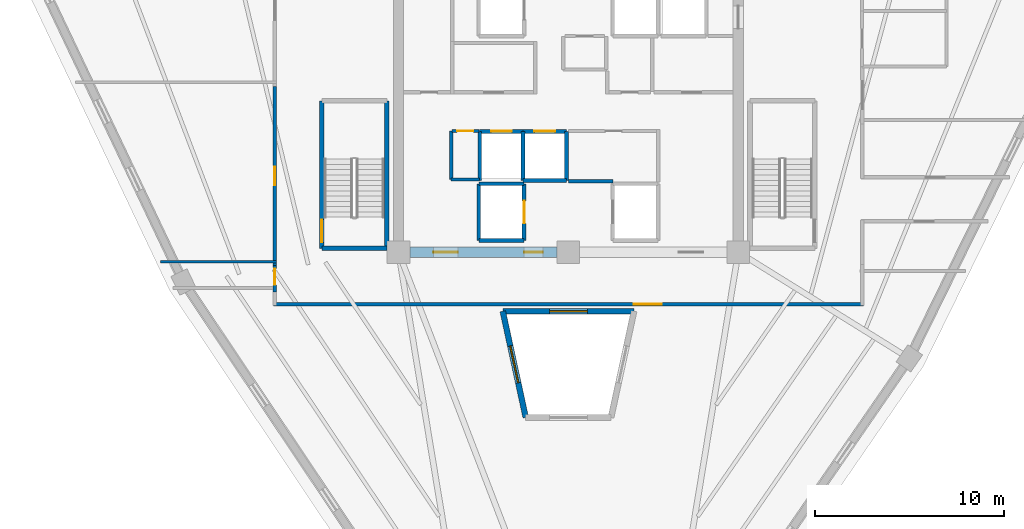
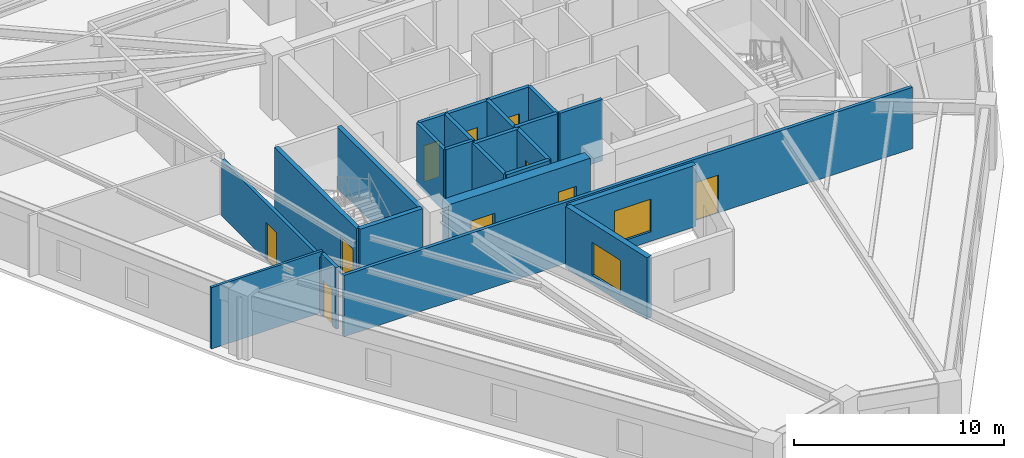
# One storey, part 3 of 8: 24 walls, 10 doors, 2 windows, 12 openings.
"""IFC4 building model written with IfcOpenShell, lengths in metres."""

from ifc_helpers import new_model, si_unit, direction, frame, frame_2d, origin, place, context, subcontext, project, spatial, rectangle, extrude, source, transform, mapped, material, layer, layer_set, type_object, element, fill, save


model = new_model("IFC4")

# Units and contexts
model_context = context("Model", 3, precision=1e-05, world=origin(), true_north=direction((0.0, 1.0)))
body_context = subcontext(model_context, "Body", "Model", "MODEL_VIEW")
ifc_project = project(units=[si_unit("LENGTHUNIT", "METRE"), si_unit("AREAUNIT", "SQUARE_METRE"), si_unit("VOLUMEUNIT", "CUBIC_METRE"), si_unit("PLANEANGLEUNIT", "RADIAN"), si_unit("MASSUNIT", "GRAM", prefix="KILO")], contexts=[model_context])

# Site, building, storey
site_placement = place(None, origin())
site = spatial("IfcSite", under=ifc_project, at=site_placement, CompositionType="ELEMENT")
building_placement = place(site_placement, origin())
building = spatial("IfcBuilding", under=site, at=building_placement, Name="Liaohun Quay Tower", CompositionType="ELEMENT")
storey_placement = place(building_placement, frame((0.0, 0.0, 297.75)))
storey = spatial("IfcBuildingStorey", under=building, at=storey_placement, Name="L77", CompositionType="ELEMENT", Elevation=297.75)

# Wall, opening, window
ifc_material_1 = material(Name="Concrete C50", Category="concrete")
ifc_layer_1 = layer(ifc_material_1, 0.300048828125, Name="Concrete C50", Category="concrete")
ifc_layer_set_1 = layer_set([ifc_layer_1], Name="Concrete C50")
wall_type_1 = type_object("IfcWallType", Name="WAL-ATR-300", PredefinedType="SOLIDWALL", material=ifc_layer_set_1)
wall_1_placement = place(storey_placement, frame((57.739013671875, 37.739990234375, 0.0), z_axis=(0.0, 0.0, 1.0), x_axis=(-0.211447694839, 0.977389314627, 0.0)))
wall_1 = element("IfcWall", 1, at=wall_1_placement, inside=storey, type_object=wall_type_1, Name="L77 Atrium Fire Compartment Wall 1", PredefinedType="SOLIDWALL", context=body_context, shape_type="SweptSolid", body=[
    extrude(rectangle(XDim=5.76025390625, YDim=0.300048828125, at=frame_2d((2.880126953125, 0.0))), origin(), (0.0, 0.0, 1.0), 3.570068359375),
])
shared_shape_1 = source(origin(), body_context, "Body", "SweptSolid", [
    extrude(rectangle(XDim=2.0, YDim=1.89990234375, at=frame_2d((1.0, 0.949951171875))), frame((0.0, 0.159912109375, 0.0), z_axis=(0.0, -1.0, 0.0), x_axis=(1.0, 0.0, 0.0)), (0.0, 0.0, 1.0), 0.320068359375),
])
opening_1_placement = place(wall_1_placement, frame((1.8798828125, 0.0, 0.550048828125)))
opening_1 = element("IfcOpeningElement", 2, at=opening_1_placement, cuts=wall_1, Name="Opening W07", PredefinedType="OPENING", context=body_context, shape_type="MappedRepresentation", body=[
    mapped(shared_shape_1, transform((0.0, 0.0, 0.0), x_axis=(1.0, 0.0, 0.0), y_axis=(0.0, 1.0, 0.0), z_axis=(0.0, 0.0, 1.0), scale=1.0)),
])
ifc_material_2 = material(Name="Class A 180-min fire-resistant insulated glazing", Category="glass")
window_type = type_object("IfcWindowType", Name="WIN-ATR-FIR", PartitioningType="DOUBLE_PANEL_VERTICAL", PredefinedType="WINDOW", material=ifc_material_2)
shared_shape_2 = source(origin(), body_context, "Body", "SweptSolid", [
    extrude(rectangle(XDim=2.0, YDim=1.89990234375, at=frame_2d((1.0, 0.949951171875))), frame((0.0, 0.030029296875, 0.0), z_axis=(0.0, -1.0, 0.0), x_axis=(1.0, 0.0, 0.0)), (0.0, 0.0, 1.0), 0.06005859375),
])
window_1_placement = place(opening_1_placement, origin())
window_1 = element("IfcWindow", 3, at=window_1_placement, inside=storey, type_object=window_type, Name="L77 Atrium Fire-Resistant Glazing W07-1", OverallHeight=1.89990234375, OverallWidth=2.0, PartitioningType="DOUBLE_PANEL_VERTICAL", PredefinedType="WINDOW", context=body_context, shape_type="MappedRepresentation", body=[
    mapped(shared_shape_2, transform((0.0, 0.0, 0.0), x_axis=(1.0, 0.0, 0.0), y_axis=(0.0, 1.0, 0.0), z_axis=(0.0, 0.0, 1.0), scale=1.0)),
])
fill(opening_1, window_1)

wall_2_placement = place(storey_placement, frame((56.52099609375, 43.3701171875, 0.0), z_axis=(0.0, 0.0, 1.0), x_axis=(1.0, 0.0, 0.0)))
wall_2 = element("IfcWall", 4, at=wall_2_placement, inside=storey, type_object=wall_type_1, Name="L77 Atrium Fire Compartment Wall 2", PredefinedType="SOLIDWALL", context=body_context, shape_type="SweptSolid", body=[
    extrude(rectangle(XDim=6.9580078125, YDim=0.300048828125, at=frame_2d((3.47900390625, 0.0))), origin(), (0.0, 0.0, 1.0), 3.570068359375),
])
opening_2_placement = place(wall_2_placement, frame((2.47900390625, 0.0, 0.550048828125)))
opening_2 = element("IfcOpeningElement", 5, at=opening_2_placement, cuts=wall_2, Name="Opening W07", PredefinedType="OPENING", context=body_context, shape_type="MappedRepresentation", body=[
    mapped(shared_shape_1, transform((0.0, 0.0, 0.0), x_axis=(1.0, 0.0, 0.0), y_axis=(0.0, 1.0, 0.0), z_axis=(0.0, 0.0, 1.0), scale=1.0)),
])
window_2_placement = place(opening_2_placement, origin())
window_2 = element("IfcWindow", 6, at=window_2_placement, inside=storey, type_object=window_type, Name="L77 Atrium Fire-Resistant Glazing W07-2", OverallHeight=1.89990234375, OverallWidth=2.0, PartitioningType="DOUBLE_PANEL_VERTICAL", PredefinedType="WINDOW", context=body_context, shape_type="MappedRepresentation", body=[
    mapped(shared_shape_2, transform((0.0, 0.0, 0.0), x_axis=(1.0, 0.0, 0.0), y_axis=(0.0, 1.0, 0.0), z_axis=(0.0, 0.0, 1.0), scale=1.0)),
])
fill(opening_2, window_2)

# Wall, openings, doors
ifc_layer_2 = layer(ifc_material_1, 0.550048828125, Name="Concrete C50", Category="concrete")
ifc_layer_set_2 = layer_set([ifc_layer_2], Name="Concrete C50")
wall_type_2 = type_object("IfcWallType", Name="WAL-COR-Z4", PredefinedType="SHEAR", material=ifc_layer_set_2)
wall_3_placement = place(storey_placement, frame((59.39990234375, 46.5, 0.0), z_axis=(0.0, 0.0, 1.0), x_axis=(-1.0, 0.0, 0.0)))
wall_3 = element("IfcWall", 7, at=wall_3_placement, inside=storey, type_object=wall_type_2, Name="L77 Central Core Shear Wall S-W", PredefinedType="SHEAR", context=body_context, shape_type="SweptSolid", body=[
    extrude(rectangle(XDim=7.7998046875, YDim=0.550048828125, at=frame_2d((3.89990234375, 0.0))), origin(), (0.0, 0.0, 1.0), 3.570068359375),
])
shared_shape_3 = source(origin(), body_context, "Body", "SweptSolid", [
    extrude(rectangle(XDim=1.300048828125, YDim=2.199951171875, at=frame_2d((0.64990234375, 1.10009765625))), frame((0.0, 0.284912109375, 0.0), z_axis=(0.0, -1.0, 0.0), x_axis=(1.0, 0.0, 0.0)), (0.0, 0.0, 1.0), 0.570068359375),
])
opening_3_placement = place(wall_3_placement, frame((5.25, 0.0, 0.0)))
opening_3 = element("IfcOpeningElement", 8, at=opening_3_placement, cuts=wall_3, Name="Opening FD1", PredefinedType="OPENING", context=body_context, shape_type="MappedRepresentation", body=[
    mapped(shared_shape_3, transform((0.0, 0.0, 0.0), x_axis=(1.0, 0.0, 0.0), y_axis=(0.0, 1.0, 0.0), z_axis=(0.0, 0.0, 1.0), scale=1.0)),
])
shared_shape_4 = source(origin(), body_context, "Body", "SweptSolid", [
    extrude(rectangle(XDim=1.0, YDim=2.199951171875, at=frame_2d((0.5, 1.10009765625))), frame((0.0, 0.284912109375, 0.0), z_axis=(0.0, -1.0, 0.0), x_axis=(1.0, 0.0, 0.0)), (0.0, 0.0, 1.0), 0.570068359375),
])
opening_4_placement = place(wall_3_placement, frame((0.75, 0.0, 0.0)))
opening_4 = element("IfcOpeningElement", 9, at=opening_4_placement, cuts=wall_3, Name="Opening FD2", PredefinedType="OPENING", context=body_context, shape_type="MappedRepresentation", body=[
    mapped(shared_shape_4, transform((0.0, 0.0, 0.0), x_axis=(1.0, 0.0, 0.0), y_axis=(0.0, 1.0, 0.0), z_axis=(0.0, 0.0, 1.0), scale=1.0)),
])
ifc_material_3 = material(Name="Galvanised steel smokeproof fire door", Category="steel")
door_type_1 = type_object("IfcDoorType", Name="DOR-FFL-1300", OperationType="NOTDEFINED", PredefinedType="DOOR", material=ifc_material_3)
shared_shape_5 = source(origin(), body_context, "Body", "SweptSolid", [
    extrude(rectangle(XDim=1.300048828125, YDim=2.199951171875, at=frame_2d((0.64990234375, 1.10009765625))), frame((0.0, 0.02490234375, 0.0), z_axis=(0.0, -1.0, 0.0), x_axis=(1.0, 0.0, 0.0)), (0.0, 0.0, 1.0), 0.050048828125),
])
door_1_placement = place(opening_3_placement, origin())
door_1 = element("IfcDoor", 10, at=door_1_placement, inside=storey, type_object=door_type_1, Name="L77 West Core Lift Lobby Smokeproof Door", OperationType="SINGLE_SWING_RIGHT", OverallHeight=2.199951171875, OverallWidth=1.300048828125, PredefinedType="DOOR", context=body_context, shape_type="MappedRepresentation", body=[
    mapped(shared_shape_5, transform((0.0, 0.0, 0.0), x_axis=(1.0, 0.0, 0.0), y_axis=(0.0, 1.0, 0.0), z_axis=(0.0, 0.0, 1.0), scale=1.0)),
])
fill(opening_3, door_1)
ifc_material_4 = material(Name="Galvanised steel smokeproof lobby fire door", Category="steel")
door_type_2 = type_object("IfcDoorType", Name="DOR-FFL-1000", OperationType="NOTDEFINED", PredefinedType="DOOR", material=ifc_material_4)
shared_shape_6 = source(origin(), body_context, "Body", "SweptSolid", [
    extrude(rectangle(XDim=1.0, YDim=2.199951171875, at=frame_2d((0.5, 1.10009765625))), frame((0.0, 0.02490234375, 0.0), z_axis=(0.0, -1.0, 0.0), x_axis=(1.0, 0.0, 0.0)), (0.0, 0.0, 1.0), 0.050048828125),
])
door_2_placement = place(opening_4_placement, origin())
door_2 = element("IfcDoor", 11, at=door_2_placement, inside=storey, type_object=door_type_2, Name="L77 South Firefighting Lobby Smokeproof Door", OperationType="SINGLE_SWING_LEFT", OverallHeight=2.199951171875, OverallWidth=1.0, PredefinedType="DOOR", context=body_context, shape_type="MappedRepresentation", body=[
    mapped(shared_shape_6, transform((0.0, 0.0, 0.0), x_axis=(1.0, 0.0, 0.0), y_axis=(0.0, 1.0, 0.0), z_axis=(0.0, 0.0, 1.0), scale=1.0)),
])
fill(opening_4, door_2)

# Wall, opening, door
ifc_material_5 = material(Name="Autoclaved aerated concrete blockwork", Category="masonry")
ifc_layer_3 = layer(ifc_material_5, 0.179931640625, Name="Autoclaved aerated concrete blockwork", Category="masonry")
ifc_layer_set_3 = layer_set([ifc_layer_3], Name="Autoclaved aerated concrete blockwork")
wall_type_3 = type_object("IfcWallType", Name="WAL-PRT-COR", PredefinedType="PARTITIONING", material=ifc_layer_set_3)
wall_4_placement = place(storey_placement, frame((53.820068359375, 52.919921875, 0.0), z_axis=(0.0, 0.0, 1.0), x_axis=(1.0, 0.0, 0.0)))
wall_4 = element("IfcWall", 12, at=wall_4_placement, inside=storey, type_object=wall_type_3, Name="L77 Interior Partition Wall 007", PredefinedType="PARTITIONING", context=body_context, shape_type="SweptSolid", body=[
    extrude(rectangle(XDim=1.429931640625, YDim=0.179931640625, at=frame_2d((0.71484375, 0.0))), origin(), (0.0, 0.0, 1.0), 3.570068359375),
])
shared_shape_7 = source(origin(), body_context, "Body", "SweptSolid", [
    extrude(rectangle(XDim=0.85009765625, YDim=2.10009765625, at=frame_2d((0.425048828125, 1.050048828125))), frame((0.0, 0.099853515625, 0.0), z_axis=(0.0, -1.0, 0.0), x_axis=(1.0, 0.0, 0.0)), (0.0, 0.0, 1.0), 0.199951171875),
])
opening_5_placement = place(wall_4_placement, frame((0.2900390625, 0.0, 0.0)))
opening_5 = element("IfcOpeningElement", 13, at=opening_5_placement, cuts=wall_4, Name="Opening AD1", PredefinedType="OPENING", context=body_context, shape_type="MappedRepresentation", body=[
    mapped(shared_shape_7, transform((0.0, 0.0, 0.0), x_axis=(1.0, 0.0, 0.0), y_axis=(0.0, 1.0, 0.0), z_axis=(0.0, 0.0, 1.0), scale=1.0)),
])
ifc_material_6 = material(Name="Steel riser inspection fire door", Category="steel")
door_type_3 = type_object("IfcDoorType", Name="DOR-SHF-850", OperationType="NOTDEFINED", PredefinedType="DOOR", material=ifc_material_6)
shared_shape_8 = source(origin(), body_context, "Body", "SweptSolid", [
    extrude(rectangle(XDim=0.85009765625, YDim=2.10009765625, at=frame_2d((0.425048828125, 1.050048828125))), frame((0.0, 0.02490234375, 0.0), z_axis=(0.0, -1.0, 0.0), x_axis=(1.0, 0.0, 0.0)), (0.0, 0.0, 1.0), 0.050048828125),
])
door_3_placement = place(opening_5_placement, origin())
door_3 = element("IfcDoor", 14, at=door_3_placement, inside=storey, type_object=door_type_3, Name="L77 Mechanical Smoke Duct Room Door", OperationType="SINGLE_SWING_LEFT", OverallHeight=2.10009765625, OverallWidth=0.85009765625, PredefinedType="DOOR", context=body_context, shape_type="MappedRepresentation", body=[
    mapped(shared_shape_8, transform((0.0, 0.0, 0.0), x_axis=(1.0, 0.0, 0.0), y_axis=(0.0, 1.0, 0.0), z_axis=(0.0, 0.0, 1.0), scale=1.0)),
])
fill(opening_5, door_3)

wall_5_placement = place(storey_placement, frame((44.43994140625, 45.784912109375, 0.0), z_axis=(0.0, 0.0, 1.0), x_axis=(0.0, 1.0, 0.0)))
wall_5 = element("IfcWall", 15, at=wall_5_placement, inside=storey, type_object=wall_type_3, Name="L77 Interior Partition Wall 022", PredefinedType="PARTITIONING", context=body_context, shape_type="SweptSolid", body=[
    extrude(rectangle(XDim=9.5, YDim=0.179931640625, at=frame_2d((4.75, 0.0))), origin(), (0.0, 0.0, 1.0), 3.260986328125),
])
shared_shape_9 = source(origin(), body_context, "Body", "SweptSolid", [
    extrude(rectangle(XDim=1.0, YDim=2.199951171875, at=frame_2d((0.5, 1.10009765625))), frame((0.0, 0.099853515625, 0.0), z_axis=(0.0, -1.0, 0.0), x_axis=(1.0, 0.0, 0.0)), (0.0, 0.0, 1.0), 0.199951171875),
])
opening_6_placement = place(wall_5_placement, frame((4.25, 0.0, 0.0)))
opening_6 = element("IfcOpeningElement", 16, at=opening_6_placement, cuts=wall_5, Name="Opening OD1", PredefinedType="OPENING", context=body_context, shape_type="MappedRepresentation", body=[
    mapped(shared_shape_9, transform((0.0, 0.0, 0.0), x_axis=(1.0, 0.0, 0.0), y_axis=(0.0, 1.0, 0.0), z_axis=(0.0, 0.0, 1.0), scale=1.0)),
])
ifc_material_7 = material(Name="Solid-core oak veneer timber leaf in steel frame", Category="steel")
door_type_4 = type_object("IfcDoorType", Name="DOR-OFF-1000", OperationType="NOTDEFINED", PredefinedType="DOOR", material=ifc_material_7)
door_4_placement = place(opening_6_placement, origin())
door_4 = element("IfcDoor", 17, at=door_4_placement, inside=storey, type_object=door_type_4, Name="L77 Client Collaboration Lounge 08 Door", OperationType="SINGLE_SWING_RIGHT", OverallHeight=2.199951171875, OverallWidth=1.0, PredefinedType="DOOR", context=body_context, shape_type="MappedRepresentation", body=[
    mapped(shared_shape_6, transform((0.0, 0.0, 0.0), x_axis=(1.0, 0.0, 0.0), y_axis=(0.0, 1.0, 0.0), z_axis=(0.0, 0.0, 1.0), scale=1.0)),
])
fill(opening_6, door_4)

wall_6_placement = place(storey_placement, frame((44.43994140625, 44.385009765625, 0.0), z_axis=(0.0, 0.0, 1.0), x_axis=(0.0, 1.0, 0.0)))
wall_6 = element("IfcWall", 18, at=wall_6_placement, inside=storey, type_object=wall_type_3, Name="L77 Interior Partition Wall 023", PredefinedType="PARTITIONING", context=body_context, shape_type="SweptSolid", body=[
    extrude(rectangle(XDim=1.39990234375, YDim=0.179931640625, at=frame_2d((0.699951171875, 0.0))), origin(), (0.0, 0.0, 1.0), 3.570068359375),
])
opening_7_placement = place(wall_6_placement, frame((0.386962890625, 0.0, 0.0)))
opening_7 = element("IfcOpeningElement", 19, at=opening_7_placement, cuts=wall_6, Name="Opening AD1", PredefinedType="OPENING", context=body_context, shape_type="MappedRepresentation", body=[
    mapped(shared_shape_7, transform((0.0, 0.0, 0.0), x_axis=(1.0, 0.0, 0.0), y_axis=(0.0, 1.0, 0.0), z_axis=(0.0, 0.0, 1.0), scale=1.0)),
])
door_5_placement = place(opening_7_placement, origin())
door_5 = element("IfcDoor", 20, at=door_5_placement, inside=storey, type_object=door_type_3, Name="L77 Records Archive Store 09 Door", OperationType="SINGLE_SWING_LEFT", OverallHeight=2.10009765625, OverallWidth=0.85009765625, PredefinedType="DOOR", context=body_context, shape_type="MappedRepresentation", body=[
    mapped(shared_shape_8, transform((0.0, 0.0, 0.0), x_axis=(1.0, 0.0, 0.0), y_axis=(0.0, 1.0, 0.0), z_axis=(0.0, 0.0, 1.0), scale=1.0)),
])
fill(opening_7, door_5)

wall_7_placement = place(storey_placement, frame((75.6298828125, 43.739990234375, 0.0), z_axis=(0.0, 0.0, 1.0), x_axis=(-1.0, 0.0, 0.0)))
wall_7 = element("IfcWall", 21, at=wall_7_placement, inside=storey, type_object=wall_type_3, Name="L77 Interior Partition Wall 024", PredefinedType="PARTITIONING", context=body_context, shape_type="SweptSolid", body=[
    extrude(rectangle(XDim=31.259765625, YDim=0.179931640625, at=frame_2d((15.6298828125, 0.0))), origin(), (0.0, 0.0, 1.0), 3.570068359375),
])
shared_shape_10 = source(origin(), body_context, "Body", "SweptSolid", [
    extrude(rectangle(XDim=1.5, YDim=2.199951171875, at=frame_2d((0.75, 1.10009765625))), frame((0.0, 0.099853515625, 0.0), z_axis=(0.0, -1.0, 0.0), x_axis=(1.0, 0.0, 0.0)), (0.0, 0.0, 1.0), 0.199951171875),
])
opening_8_placement = place(wall_7_placement, frame((10.679931640625, 0.0, 0.0)))
opening_8 = element("IfcOpeningElement", 22, at=opening_8_placement, cuts=wall_7, Name="Opening OD2", PredefinedType="OPENING", context=body_context, shape_type="MappedRepresentation", body=[
    mapped(shared_shape_10, transform((0.0, 0.0, 0.0), x_axis=(1.0, 0.0, 0.0), y_axis=(0.0, 1.0, 0.0), z_axis=(0.0, 0.0, 1.0), scale=1.0)),
])
ifc_material_8 = material(Name="Acoustic oak veneer double door")
door_type_5 = type_object("IfcDoorType", Name="DOR-OFF-1500", OperationType="DOUBLE_DOOR_SINGLE_SWING", PredefinedType="DOOR", material=ifc_material_8)
shared_shape_11 = source(origin(), body_context, "Body", "SweptSolid", [
    extrude(rectangle(XDim=1.5, YDim=2.199951171875, at=frame_2d((0.75, 1.10009765625))), frame((0.0, 0.02490234375, 0.0), z_axis=(0.0, -1.0, 0.0), x_axis=(1.0, 0.0, 0.0)), (0.0, 0.0, 1.0), 0.050048828125),
])
door_6_placement = place(opening_8_placement, origin())
door_6 = element("IfcDoor", 23, at=door_6_placement, inside=storey, type_object=door_type_5, Name="L77 Open-Plan Office Workplace 10 Door", OperationType="DOUBLE_DOOR_SINGLE_SWING", OverallHeight=2.199951171875, OverallWidth=1.5, PredefinedType="DOOR", context=body_context, shape_type="MappedRepresentation", body=[
    mapped(shared_shape_11, transform((0.0, 0.0, 0.0), x_axis=(1.0, 0.0, 0.0), y_axis=(0.0, 1.0, 0.0), z_axis=(0.0, 0.0, 1.0), scale=1.0)),
])
fill(opening_8, door_6)

# Walls
wall_8_placement = place(storey_placement, frame((53.7900390625, 50.35009765625, 0.0), z_axis=(0.0, 0.0, 1.0), x_axis=(0.0, 1.0, 0.0)))
element("IfcWall", 24, at=wall_8_placement, inside=storey, type_object=wall_type_3, Name="L77 Interior Partition Wall 031", PredefinedType="PARTITIONING", context=body_context, shape_type="SweptSolid", body=[
    extrude(rectangle(XDim=2.56982421875, YDim=0.179931640625, at=frame_2d((1.284912109375, 0.0))), origin(), (0.0, 0.0, 1.0), 3.570068359375),
])
wall_9_placement = place(storey_placement, frame((53.7900390625, 50.35009765625, 0.0), z_axis=(0.0, 0.0, 1.0), x_axis=(1.0, 0.0, 0.0)))
element("IfcWall", 25, at=wall_9_placement, inside=storey, type_object=wall_type_3, Name="L77 Interior Partition Wall 032", PredefinedType="PARTITIONING", context=body_context, shape_type="SweptSolid", body=[
    extrude(rectangle(XDim=1.489990234375, YDim=0.179931640625, at=frame_2d((0.7451171875, 0.0))), origin(), (0.0, 0.0, 1.0), 3.570068359375),
])
wall_10_placement = place(storey_placement, frame((60.0, 50.25, 0.0), z_axis=(0.0, 0.0, 1.0), x_axis=(1.0, 0.0, 0.0)))
element("IfcWall", 26, at=wall_10_placement, inside=storey, type_object=wall_type_3, Name="L77 Interior Partition Wall 060", PredefinedType="PARTITIONING", context=body_context, shape_type="SweptSolid", body=[
    extrude(rectangle(XDim=2.35009765625, YDim=0.179931640625, at=frame_2d((1.175048828125, 0.0))), origin(), (0.0, 0.0, 1.0), 3.570068359375),
])
ifc_material_9 = material(Name="Gypsum board on twin steel studs", Category="steel")
ifc_layer_4 = layer(ifc_material_9, 0.139892578125, Name="Gypsum board on twin steel studs", Category="steel")
ifc_layer_set_4 = layer_set([ifc_layer_4], Name="Gypsum board on twin steel studs")
wall_type_4 = type_object("IfcWallType", Name="WAL-PRT-OFF", PredefinedType="PARTITIONING", material=ifc_layer_set_4)
wall_11_placement = place(storey_placement, frame((44.5400390625, 46.0, 0.0), z_axis=(0.0, 0.0, 1.0), x_axis=(-1.0, 0.0, 0.0)))
element("IfcWall", 27, at=wall_11_placement, inside=storey, type_object=wall_type_4, Name="L77 Interior Partition Wall 050", PredefinedType="PARTITIONING", context=body_context, shape_type="SweptSolid", body=[
    extrude(rectangle(XDim=6.14794921875, YDim=0.139892578125, at=frame_2d((3.073974609375, 0.0))), origin(), (0.0, 0.0, 1.0), 3.570068359375),
])
ifc_layer_5 = layer(ifc_material_1, 0.239990234375, Name="Concrete C50", Category="concrete")
ifc_layer_set_5 = layer_set([ifc_layer_5], Name="Concrete C50")
wall_type_5 = type_object("IfcWallType", Name="WAL-SHF-200", PredefinedType="SOLIDWALL", material=ifc_layer_set_5)
wall_12_placement = place(storey_placement, frame((46.93994140625, 46.699951171875, 0.0), z_axis=(0.0, 0.0, 1.0), x_axis=(1.0, 0.0, 0.0)))
element("IfcWall", 28, at=wall_12_placement, inside=storey, type_object=wall_type_5, Name="L77 Stairwell ST-1 Structural Core Wall S", PredefinedType="SOLIDWALL", context=body_context, shape_type="SweptSolid", body=[
    extrude(rectangle(XDim=3.43994140625, YDim=0.239990234375, at=frame_2d((1.719970703125, 0.0))), origin(), (0.0, 0.0, 1.0), 3.570068359375),
])
wall_13_placement = place(storey_placement, frame((50.3798828125, 46.699951171875, 0.0), z_axis=(0.0, 0.0, 1.0), x_axis=(0.0, 1.0, 0.0)))
element("IfcWall", 29, at=wall_13_placement, inside=storey, type_object=wall_type_5, Name="L77 Stairwell ST-1 Structural Core Wall E", PredefinedType="SOLIDWALL", context=body_context, shape_type="SweptSolid", body=[
    extrude(rectangle(XDim=7.820068359375, YDim=0.239990234375, at=frame_2d((3.91015625, 0.0))), origin(), (0.0, 0.0, 1.0), 3.570068359375),
])

# Wall, opening, door
wall_14_placement = place(storey_placement, frame((46.93994140625, 54.52001953125, 0.0), z_axis=(0.0, 0.0, 1.0), x_axis=(0.0, -1.0, 0.0)))
wall_14 = element("IfcWall", 30, at=wall_14_placement, inside=storey, type_object=wall_type_5, Name="L77 Stairwell ST-1 Structural Core Wall W", PredefinedType="SOLIDWALL", context=body_context, shape_type="SweptSolid", body=[
    extrude(rectangle(XDim=7.820068359375, YDim=0.239990234375, at=frame_2d((3.91015625, 0.0))), origin(), (0.0, 0.0, 1.0), 3.570068359375),
])
shared_shape_12 = source(origin(), body_context, "Body", "SweptSolid", [
    extrude(rectangle(XDim=1.199951171875, YDim=2.199951171875, at=frame_2d((0.60009765625, 1.10009765625))), frame((0.0, 0.1298828125, 0.0), z_axis=(0.0, -1.0, 0.0), x_axis=(1.0, 0.0, 0.0)), (0.0, 0.0, 1.0), 0.260009765625),
])
opening_9_placement = place(wall_14_placement, frame((6.300048828125, 0.0, 0.0)))
opening_9 = element("IfcOpeningElement", 31, at=opening_9_placement, cuts=wall_14, Name="Opening SD1", PredefinedType="OPENING", context=body_context, shape_type="MappedRepresentation", body=[
    mapped(shared_shape_12, transform((0.0, 0.0, 0.0), x_axis=(1.0, 0.0, 0.0), y_axis=(0.0, 1.0, 0.0), z_axis=(0.0, 0.0, 1.0), scale=1.0)),
])
ifc_material_10 = material(Name="Galvanised steel fire door", Category="steel")
door_type_6 = type_object("IfcDoorType", Name="DOR-STR-1200", OperationType="NOTDEFINED", PredefinedType="DOOR", material=ifc_material_10)
shared_shape_13 = source(origin(), body_context, "Body", "SweptSolid", [
    extrude(rectangle(XDim=1.199951171875, YDim=2.199951171875, at=frame_2d((0.60009765625, 1.10009765625))), frame((0.0, 0.02490234375, 0.0), z_axis=(0.0, -1.0, 0.0), x_axis=(1.0, 0.0, 0.0)), (0.0, 0.0, 1.0), 0.050048828125),
])
door_7_placement = place(opening_9_placement, origin())
door_7 = element("IfcDoor", 32, at=door_7_placement, inside=storey, type_object=door_type_6, Name="L77 Protected Stair ST-1 Fire Door", OperationType="SINGLE_SWING_LEFT", OverallHeight=2.199951171875, OverallWidth=1.199951171875, PredefinedType="DOOR", context=body_context, shape_type="MappedRepresentation", body=[
    mapped(shared_shape_13, transform((0.0, 0.0, 0.0), x_axis=(1.0, 0.0, 0.0), y_axis=(0.0, 1.0, 0.0), z_axis=(0.0, 0.0, 1.0), scale=1.0)),
])
fill(opening_9, door_7)

# Wall
wall_15_placement = place(storey_placement, frame((55.25, 47.1201171875, 0.0), z_axis=(0.0, 0.0, 1.0), x_axis=(1.0, 0.0, 0.0)))
element("IfcWall", 33, at=wall_15_placement, inside=storey, type_object=wall_type_5, Name="L77 Lift FF-01 Hoistway Wall S", PredefinedType="SOLIDWALL", context=body_context, shape_type="SweptSolid", body=[
    extrude(rectangle(XDim=2.39990234375, YDim=0.199951171875, at=frame_2d((1.199951171875, 0.0))), origin(), (0.0, 0.0, 1.0), 3.570068359375),
])

# Wall, opening, door
wall_16_placement = place(storey_placement, frame((57.64990234375, 47.1201171875, 0.0), z_axis=(0.0, 0.0, 1.0), x_axis=(0.0, 1.0, 0.0)))
wall_16 = element("IfcWall", 34, at=wall_16_placement, inside=storey, type_object=wall_type_5, Name="L77 Lift FF-01 Hoistway Wall E", PredefinedType="SOLIDWALL", context=body_context, shape_type="SweptSolid", body=[
    extrude(rectangle(XDim=3.0, YDim=0.199951171875, at=frame_2d((1.5, 0.0))), origin(), (0.0, 0.0, 1.0), 3.570068359375),
])
shared_shape_14 = source(origin(), body_context, "Body", "SweptSolid", [
    extrude(rectangle(XDim=1.199951171875, YDim=2.300048828125, at=frame_2d((0.60009765625, 1.14990234375))), frame((0.0, 0.10986328125, 0.0), z_axis=(0.0, -1.0, 0.0), x_axis=(1.0, 0.0, 0.0)), (0.0, 0.0, 1.0), 0.219970703125),
])
opening_10_placement = place(wall_16_placement, frame((0.89990234375, 0.0, 0.0)))
opening_10 = element("IfcOpeningElement", 35, at=opening_10_placement, cuts=wall_16, Name="Opening LD2", PredefinedType="OPENING", context=body_context, shape_type="MappedRepresentation", body=[
    mapped(shared_shape_14, transform((0.0, 0.0, 0.0), x_axis=(1.0, 0.0, 0.0), y_axis=(0.0, 1.0, 0.0), z_axis=(0.0, 0.0, 1.0), scale=1.0)),
])
ifc_material_11 = material(Name="Brushed stainless steel stretcher landing door", Category="steel")
door_type_7 = type_object("IfcDoorType", Name="DOR-LFT-1200", OperationType="SLIDING_TO_LEFT", PredefinedType="DOOR", material=ifc_material_11)
shared_shape_15 = source(origin(), body_context, "Body", "SweptSolid", [
    extrude(rectangle(XDim=1.199951171875, YDim=2.300048828125, at=frame_2d((0.60009765625, 1.14990234375))), frame((0.0, 0.02490234375, 0.0), z_axis=(0.0, -1.0, 0.0), x_axis=(1.0, 0.0, 0.0)), (0.0, 0.0, 1.0), 0.050048828125),
])
door_8_placement = place(opening_10_placement, origin())
door_8 = element("IfcDoor", 36, at=door_8_placement, inside=storey, type_object=door_type_7, Name="L77 Lift FF-01 Sliding Landing Door", OperationType="SLIDING_TO_LEFT", OverallHeight=2.300048828125, OverallWidth=1.199951171875, PredefinedType="DOOR", context=body_context, shape_type="MappedRepresentation", body=[
    mapped(shared_shape_15, transform((0.0, 0.0, 0.0), x_axis=(1.0, 0.0, 0.0), y_axis=(0.0, 1.0, 0.0), z_axis=(0.0, 0.0, 1.0), scale=1.0)),
])
fill(opening_10, door_8)

# Walls
wall_17_placement = place(storey_placement, frame((57.64990234375, 50.1201171875, 0.0), z_axis=(0.0, 0.0, 1.0), x_axis=(-1.0, 0.0, 0.0)))
element("IfcWall", 37, at=wall_17_placement, inside=storey, type_object=wall_type_5, Name="L77 Lift FF-01 Hoistway Wall N", PredefinedType="SOLIDWALL", context=body_context, shape_type="SweptSolid", body=[
    extrude(rectangle(XDim=2.39990234375, YDim=0.199951171875, at=frame_2d((1.199951171875, 0.0))), origin(), (0.0, 0.0, 1.0), 3.570068359375),
])
wall_18_placement = place(storey_placement, frame((55.25, 50.1201171875, 0.0), z_axis=(0.0, 0.0, 1.0), x_axis=(0.0, -1.0, 0.0)))
element("IfcWall", 38, at=wall_18_placement, inside=storey, type_object=wall_type_5, Name="L77 Lift FF-01 Hoistway Wall W", PredefinedType="SOLIDWALL", context=body_context, shape_type="SweptSolid", body=[
    extrude(rectangle(XDim=3.0, YDim=0.199951171875, at=frame_2d((1.5, 0.0))), origin(), (0.0, 0.0, 1.0), 3.570068359375),
])
wall_19_placement = place(storey_placement, frame((57.60009765625, 50.300048828125, 0.0), z_axis=(0.0, 0.0, 1.0), x_axis=(0.0, 1.0, 0.0)))
element("IfcWall", 39, at=wall_19_placement, inside=storey, type_object=wall_type_5, Name="L77 Lift PL-4A Hoistway Wall E", PredefinedType="SOLIDWALL", context=body_context, shape_type="SweptSolid", body=[
    extrude(rectangle(XDim=2.599853515625, YDim=0.199951171875, at=frame_2d((1.2998046875, 0.0))), origin(), (0.0, 0.0, 1.0), 3.570068359375),
])

# Wall, opening, door
wall_20_placement = place(storey_placement, frame((57.60009765625, 52.89990234375, 0.0), z_axis=(0.0, 0.0, 1.0), x_axis=(-1.0, 0.0, 0.0)))
wall_20 = element("IfcWall", 40, at=wall_20_placement, inside=storey, type_object=wall_type_5, Name="L77 Lift PL-4A Hoistway Wall N", PredefinedType="SOLIDWALL", context=body_context, shape_type="SweptSolid", body=[
    extrude(rectangle(XDim=2.300048828125, YDim=0.199951171875, at=frame_2d((1.14990234375, 0.0))), origin(), (0.0, 0.0, 1.0), 3.570068359375),
])
shared_shape_16 = source(origin(), body_context, "Body", "SweptSolid", [
    extrude(rectangle(XDim=1.10009765625, YDim=2.199951171875, at=frame_2d((0.550048828125, 1.10009765625))), frame((0.0, 0.10986328125, 0.0), z_axis=(0.0, -1.0, 0.0), x_axis=(1.0, 0.0, 0.0)), (0.0, 0.0, 1.0), 0.219970703125),
])
opening_11_placement = place(wall_20_placement, frame((0.60009765625, 0.0, 0.0)))
opening_11 = element("IfcOpeningElement", 41, at=opening_11_placement, cuts=wall_20, Name="Opening LD1", PredefinedType="OPENING", context=body_context, shape_type="MappedRepresentation", body=[
    mapped(shared_shape_16, transform((0.0, 0.0, 0.0), x_axis=(1.0, 0.0, 0.0), y_axis=(0.0, 1.0, 0.0), z_axis=(0.0, 0.0, 1.0), scale=1.0)),
])
ifc_material_12 = material(Name="Brushed stainless steel landing door", Category="steel")
door_type_8 = type_object("IfcDoorType", Name="DOR-LFT-1100", OperationType="SLIDING_TO_LEFT", PredefinedType="DOOR", material=ifc_material_12)
shared_shape_17 = source(origin(), body_context, "Body", "SweptSolid", [
    extrude(rectangle(XDim=1.10009765625, YDim=2.199951171875, at=frame_2d((0.550048828125, 1.10009765625))), frame((0.0, 0.02490234375, 0.0), z_axis=(0.0, -1.0, 0.0), x_axis=(1.0, 0.0, 0.0)), (0.0, 0.0, 1.0), 0.050048828125),
])
door_9_placement = place(opening_11_placement, origin())
door_9 = element("IfcDoor", 42, at=door_9_placement, inside=storey, type_object=door_type_8, Name="L77 Lift PL-4A Sliding Landing Door", OperationType="SLIDING_TO_LEFT", OverallHeight=2.199951171875, OverallWidth=1.10009765625, PredefinedType="DOOR", context=body_context, shape_type="MappedRepresentation", body=[
    mapped(shared_shape_17, transform((0.0, 0.0, 0.0), x_axis=(1.0, 0.0, 0.0), y_axis=(0.0, 1.0, 0.0), z_axis=(0.0, 0.0, 1.0), scale=1.0)),
])
fill(opening_11, door_9)

# Walls
wall_21_placement = place(storey_placement, frame((55.300048828125, 52.89990234375, 0.0), z_axis=(0.0, 0.0, 1.0), x_axis=(0.0, -1.0, 0.0)))
element("IfcWall", 43, at=wall_21_placement, inside=storey, type_object=wall_type_5, Name="L77 Lift PL-4A Hoistway Wall W", PredefinedType="SOLIDWALL", context=body_context, shape_type="SweptSolid", body=[
    extrude(rectangle(XDim=2.599853515625, YDim=0.199951171875, at=frame_2d((1.2998046875, 0.0))), origin(), (0.0, 0.0, 1.0), 3.570068359375),
])
wall_22_placement = place(storey_placement, frame((57.60009765625, 50.300048828125, 0.0), z_axis=(0.0, 0.0, 1.0), x_axis=(1.0, 0.0, 0.0)))
element("IfcWall", 44, at=wall_22_placement, inside=storey, type_object=wall_type_5, Name="L77 Lift PL-4B Hoistway Wall S", PredefinedType="SOLIDWALL", context=body_context, shape_type="SweptSolid", body=[
    extrude(rectangle(XDim=2.2998046875, YDim=0.199951171875, at=frame_2d((1.14990234375, 0.0))), origin(), (0.0, 0.0, 1.0), 3.570068359375),
])
wall_23_placement = place(storey_placement, frame((59.89990234375, 50.300048828125, 0.0), z_axis=(0.0, 0.0, 1.0), x_axis=(0.0, 1.0, 0.0)))
element("IfcWall", 45, at=wall_23_placement, inside=storey, type_object=wall_type_5, Name="L77 Lift PL-4B Hoistway Wall E", PredefinedType="SOLIDWALL", context=body_context, shape_type="SweptSolid", body=[
    extrude(rectangle(XDim=2.599853515625, YDim=0.199951171875, at=frame_2d((1.2998046875, 0.0))), origin(), (0.0, 0.0, 1.0), 3.570068359375),
])

# Wall, opening, door
wall_24_placement = place(storey_placement, frame((59.89990234375, 52.89990234375, 0.0), z_axis=(0.0, 0.0, 1.0), x_axis=(-1.0, 0.0, 0.0)))
wall_24 = element("IfcWall", 46, at=wall_24_placement, inside=storey, type_object=wall_type_5, Name="L77 Lift PL-4B Hoistway Wall N", PredefinedType="SOLIDWALL", context=body_context, shape_type="SweptSolid", body=[
    extrude(rectangle(XDim=2.2998046875, YDim=0.199951171875, at=frame_2d((1.14990234375, 0.0))), origin(), (0.0, 0.0, 1.0), 3.570068359375),
])
opening_12_placement = place(wall_24_placement, frame((0.60009765625, 0.0, 0.0)))
opening_12 = element("IfcOpeningElement", 47, at=opening_12_placement, cuts=wall_24, Name="Opening LD1", PredefinedType="OPENING", context=body_context, shape_type="MappedRepresentation", body=[
    mapped(shared_shape_16, transform((0.0, 0.0, 0.0), x_axis=(1.0, 0.0, 0.0), y_axis=(0.0, 1.0, 0.0), z_axis=(0.0, 0.0, 1.0), scale=1.0)),
])
door_10_placement = place(opening_12_placement, origin())
door_10 = element("IfcDoor", 48, at=door_10_placement, inside=storey, type_object=door_type_8, Name="L77 Lift PL-4B Sliding Landing Door", OperationType="SLIDING_TO_LEFT", OverallHeight=2.199951171875, OverallWidth=1.10009765625, PredefinedType="DOOR", context=body_context, shape_type="MappedRepresentation", body=[
    mapped(shared_shape_17, transform((0.0, 0.0, 0.0), x_axis=(1.0, 0.0, 0.0), y_axis=(0.0, 1.0, 0.0), z_axis=(0.0, 0.0, 1.0), scale=1.0)),
])
fill(opening_12, door_10)

save(model, "model.ifc")
